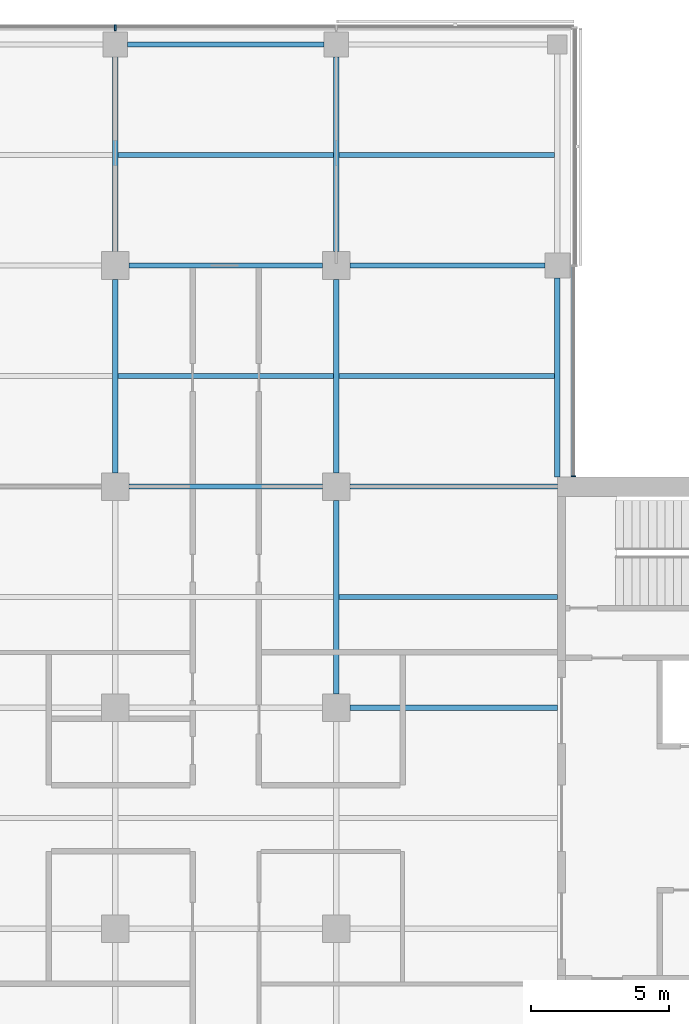
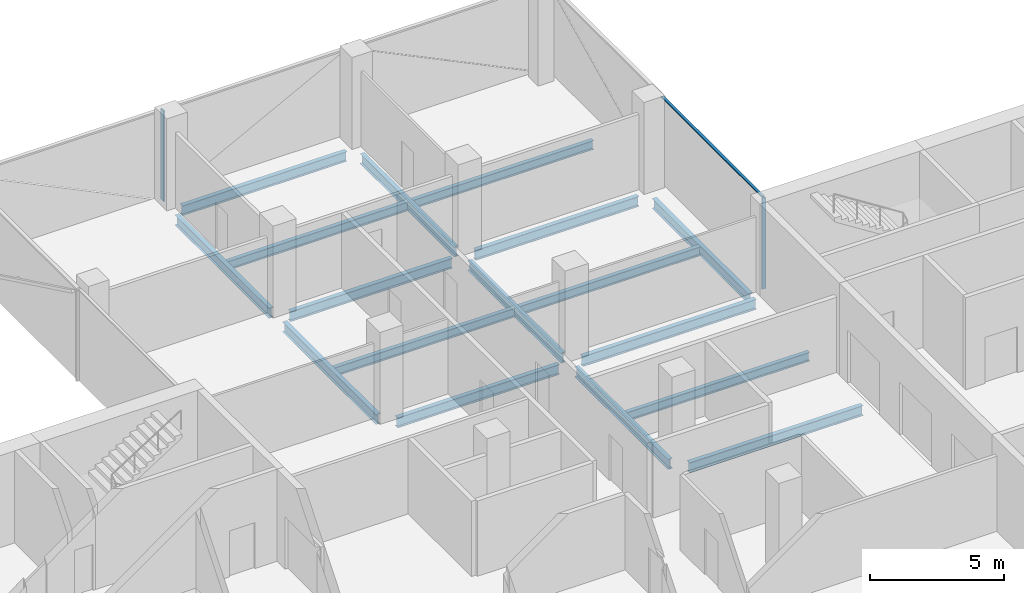
# One storey, part 9 of 22: 17 beams, 3 members, 2 elements without a shape of their own.
"""IFC4 building model written with IfcOpenShell, lengths in metres."""

from ifc_helpers import new_model, si_unit, direction, frame, origin, origin_2d, place, context, subcontext, project, spatial, rectangle, i_section, extrude, material, material_profile, profile_set, type_object, element, aggregate, save


model = new_model("IFC4")

# Units and contexts
model_context = context("Model", 3, precision=1e-05, world=origin(), true_north=direction((0.0, 1.0)))
body_context = subcontext(model_context, "Body", "Model", "MODEL_VIEW")
ifc_project = project(units=[si_unit("LENGTHUNIT", "METRE"), si_unit("AREAUNIT", "SQUARE_METRE"), si_unit("VOLUMEUNIT", "CUBIC_METRE"), si_unit("PLANEANGLEUNIT", "RADIAN"), si_unit("MASSUNIT", "GRAM", prefix="KILO")], contexts=[model_context])

# Site, building, storey
site_placement = place(None, origin())
site = spatial("IfcSite", under=ifc_project, at=site_placement, CompositionType="ELEMENT")
building_placement = place(site_placement, origin())
building = spatial("IfcBuilding", under=site, at=building_placement, Name="Crosswind Convention Tower", CompositionType="ELEMENT")
storey_placement = place(building_placement, frame((0.0, 0.0, 133.699951171875)))
storey = spatial("IfcBuildingStorey", under=building, at=storey_placement, Name="L27", CompositionType="ELEMENT", Elevation=133.699951171875)

# Beams
ifc_material_1 = material(Name="Steel S355", Category="steel")
ifc_material_profile_1 = material_profile(ifc_material_1, i_section(OverallWidth=0.18994140625, OverallDepth=0.45361328125, WebThickness=0.008544921875, FlangeThickness=0.0126953125, FilletRadius=0.01025390625, at=origin_2d()), Name="UB 457x191x67")
ifc_profile_set_1 = profile_set([ifc_material_profile_1], Name="Steel S355")
beam_type_1 = type_object("IfcBeamType", Name="Edge beam UB 457x191x67", PredefinedType="SPANDREL", material=ifc_profile_set_1)
beam_1_placement = place(storey_placement, frame((121.449951171875, 128.0, -0.52685546875), z_axis=(1.0, 0.0, 0.0), x_axis=(0.0, 1.0, 0.0)))
element("IfcBeam", 1, at=beam_1_placement, inside=storey, type_object=beam_type_1, Name="B16 L27 edge beam 13", PredefinedType="SPANDREL", context=body_context, shape_type="SweptSolid", body=[
    extrude(i_section(OverallWidth=0.18994140625, OverallDepth=0.45361328125, WebThickness=0.008544921875, FlangeThickness=0.0126953125, FilletRadius=0.01025390625, at=origin_2d()), origin(), (0.0, 0.0, 1.0), 7.10009765625),
])
beam_2_placement = place(storey_placement, frame((137.0, 112.35009765625, -0.52685546875), z_axis=(0.0, 1.0, 0.0), x_axis=(-1.0, 0.0, 0.0)))
element("IfcBeam", 2, at=beam_2_placement, inside=storey, type_object=beam_type_1, Name="B16 L27 edge beam 18", PredefinedType="SPANDREL", context=body_context, shape_type="SweptSolid", body=[
    extrude(i_section(OverallWidth=0.18994140625, OverallDepth=0.45361328125, WebThickness=0.008544921875, FlangeThickness=0.0126953125, FilletRadius=0.01025390625, at=origin_2d()), origin(), (0.0, 0.0, 1.0), 7.199951171875),
])
ifc_material_profile_2 = material_profile(ifc_material_1, i_section(OverallWidth=0.19140625, OverallDepth=0.460205078125, WebThickness=0.010009765625, FlangeThickness=0.01611328125, FilletRadius=0.01025390625, at=origin_2d()), Name="UB 457x191x82")
ifc_profile_set_2 = profile_set([ifc_material_profile_2], Name="Steel S355")
beam_type_2 = type_object("IfcBeamType", Name="Girder UB 457x191x82", PredefinedType="BEAM", material=ifc_profile_set_2)
beam_3_placement = place(storey_placement, frame((121.0, 112.5, -0.530029296875), z_axis=(0.0, 1.0, 0.0), x_axis=(-1.0, 0.0, 0.0)))
element("IfcBeam", 3, at=beam_3_placement, inside=storey, type_object=beam_type_2, Name="B3 L27 girder 8", PredefinedType="BEAM", context=body_context, shape_type="SweptSolid", body=[
    extrude(i_section(OverallWidth=0.19140625, OverallDepth=0.460205078125, WebThickness=0.010009765625, FlangeThickness=0.01611328125, FilletRadius=0.01025390625, at=origin_2d()), origin(), (0.0, 0.0, 1.0), 7.0),
])
beam_4_placement = place(storey_placement, frame((121.0, 120.5, -0.530029296875), z_axis=(0.0, 1.0, 0.0), x_axis=(-1.0, 0.0, 0.0)))
element("IfcBeam", 4, at=beam_4_placement, inside=storey, type_object=beam_type_2, Name="B3 L27 girder 9", PredefinedType="BEAM", context=body_context, shape_type="SweptSolid", body=[
    extrude(i_section(OverallWidth=0.19140625, OverallDepth=0.460205078125, WebThickness=0.010009765625, FlangeThickness=0.01611328125, FilletRadius=0.01025390625, at=origin_2d()), origin(), (0.0, 0.0, 1.0), 7.050048828125),
])
for number, where, z_axis, x_axis, name in (
    (5, (121.5, 112.0, -0.530029296875), (1.0, 0.0, 0.0), (0.0, 1.0, 0.0), "B3 L27 girder 14"),
    (6, (121.5, 120.0, -0.530029296875), (1.0, 0.0, 0.0), (0.0, 1.0, 0.0), "B3 L27 girder 15"),
    (7, (129.0, 104.5, -0.530029296875), (0.0, 1.0, 0.0), (-1.0, 0.0, 0.0), "B3 L27 girder 20"),
    (8, (129.0, 112.5, -0.530029296875), (0.0, 1.0, 0.0), (-1.0, 0.0, 0.0), "B3 L27 girder 21"),
):
    element("IfcBeam", number, at=place(storey_placement, frame(where, z_axis=z_axis, x_axis=x_axis)), inside=storey, type_object=beam_type_2, Name=name, PredefinedType="BEAM", context=body_context, shape_type="SweptSolid", body=[
        extrude(i_section(OverallWidth=0.19140625, OverallDepth=0.460205078125, WebThickness=0.010009765625, FlangeThickness=0.01611328125, FilletRadius=0.01025390625, at=origin_2d()), origin(), (0.0, 0.0, 1.0), 7.0),
    ])
for number, where, z_axis, x_axis, name in (
    (9, (129.0, 120.5, -0.530029296875), (0.0, 1.0, 0.0), (-1.0, 0.0, 0.0), "B3 L27 girder 22"),
    (10, (129.5, 120.0, -0.530029296875), (1.0, 0.0, 0.0), (0.0, 1.0, 0.0), "B3 L27 girder 24"),
):
    element("IfcBeam", number, at=place(storey_placement, frame(where, z_axis=z_axis, x_axis=x_axis)), inside=storey, type_object=beam_type_2, Name=name, PredefinedType="BEAM", context=body_context, shape_type="SweptSolid", body=[
        extrude(i_section(OverallWidth=0.19140625, OverallDepth=0.460205078125, WebThickness=0.010009765625, FlangeThickness=0.01611328125, FilletRadius=0.01025390625, at=origin_2d()), origin(), (0.0, 0.0, 1.0), 7.050048828125),
    ])
ifc_material_profile_3 = material_profile(ifc_material_1, i_section(OverallWidth=0.19189453125, OverallDepth=0.463623046875, WebThickness=0.010498046875, FlangeThickness=0.017578125, FilletRadius=0.01025390625, at=origin_2d()), Name="UB 457x191x90")
ifc_profile_set_3 = profile_set([ifc_material_profile_3], Name="Steel S355")
beam_type_3 = type_object("IfcBeamType", Name="Girder at core wall UB 457x191x90", PredefinedType="BEAM", material=ifc_profile_set_3)
for number, where, z_axis, x_axis, name in (
    (11, (129.5, 104.0, -0.53173828125), (1.0, 0.0, 0.0), (0.0, 1.0, 0.0), "B24 L27 girder at core wall 9"),
    (12, (129.5, 112.0, -0.53173828125), (1.0, 0.0, 0.0), (0.0, 1.0, 0.0), "B24 L27 girder at core wall 10"),
):
    element("IfcBeam", number, at=place(storey_placement, frame(where, z_axis=z_axis, x_axis=x_axis)), inside=storey, type_object=beam_type_3, Name=name, PredefinedType="BEAM", context=body_context, shape_type="SweptSolid", body=[
        extrude(i_section(OverallWidth=0.19189453125, OverallDepth=0.463623046875, WebThickness=0.010498046875, FlangeThickness=0.017578125, FilletRadius=0.01025390625, at=origin_2d()), origin(), (0.0, 0.0, 1.0), 7.5),
    ])

# Curtain wall, member
ifc_material_2 = material(Name="Aluminium unitised curtain wall", Category="aluminium")
curtain_wall_type_1 = type_object("IfcCurtainWallType", Name="CORE END SLOT WALL 160", PredefinedType="USERDEFINED", material=ifc_material_2)
curtain_wall_1_placement = place(storey_placement, origin())
curtain_wall_1 = element("IfcCurtainWall", 13, at=curtain_wall_1_placement, inside=storey, type_object=curtain_wall_type_1, Name="CW6 L27 N-E.1-1 slot", ObjectType="UNITISED", PredefinedType="USERDEFINED")
ifc_material_3 = material(Name="Aluminium mullion", Category="aluminium")
ifc_material_profile_4 = material_profile(ifc_material_3, rectangle(XDim=0.159912109375, YDim=0.050048828125, at=origin_2d()), Name="AL 160X50")
ifc_profile_set_4 = profile_set([ifc_material_profile_4], Name="Aluminium mullion")
member_type_1 = type_object("IfcMemberType", Name="MULLION 50X160", PredefinedType="MULLION", material=ifc_profile_set_4)
member_1_placement = place(storey_placement, frame((137.580078125, 112.375, -0.300048828125), z_axis=(0.0, 0.0, 1.0), x_axis=(1.0, 0.0, 0.0)))
member_1 = element("IfcMember", 14, at=member_1_placement, type_object=member_type_1, Name="CW6 mullion 1", PredefinedType="MULLION", context=body_context, shape_type="SweptSolid", body=[
    extrude(rectangle(XDim=0.159912109375, YDim=0.050048828125, at=origin_2d()), origin(), (0.0, 0.0, 1.0), 4.150146484375),
])

curtain_wall_type_2 = type_object("IfcCurtainWallType", Name="OFFICE UNITISED WALL 220", PredefinedType="USERDEFINED", material=ifc_material_2)
curtain_wall_2_placement = place(storey_placement, origin())
curtain_wall_2 = element("IfcCurtainWall", 15, at=curtain_wall_2_placement, inside=storey, type_object=curtain_wall_type_2, Name="CW3 L27 N-TIP 1", ObjectType="UNITISED", PredefinedType="USERDEFINED")
ifc_material_profile_5 = material_profile(ifc_material_3, rectangle(XDim=0.219970703125, YDim=0.070068359375, at=origin_2d()), Name="AL 220X70")
ifc_profile_set_5 = profile_set([ifc_material_profile_5], Name="Aluminium mullion")
member_type_2 = type_object("IfcMemberType", Name="MULLION 70X220", PredefinedType="MULLION", material=ifc_profile_set_5)
member_2_placement = place(storey_placement, frame((121.0, 128.610107421875, -0.300048828125), z_axis=(0.0, 0.0, 1.0), x_axis=(0.0, 1.0, 0.0)))
member_2 = element("IfcMember", 16, at=member_2_placement, type_object=member_type_2, Name="CW3 mullion 3", PredefinedType="MULLION", context=body_context, shape_type="SweptSolid", body=[
    extrude(rectangle(XDim=0.219970703125, YDim=0.070068359375, at=origin_2d()), origin(), (0.0, 0.0, 1.0), 4.130126953125),
])
aggregate(curtain_wall_2, [member_2])

# Beams
ifc_material_profile_6 = material_profile(ifc_material_1, i_section(OverallWidth=0.177734375, OverallDepth=0.406494140625, WebThickness=0.0078125, FlangeThickness=0.0126953125, FilletRadius=0.01025390625, at=origin_2d()), Name="UB 406x178x60")
ifc_profile_set_6 = profile_set([ifc_material_profile_6], Name="Steel S355")
beam_type_4 = type_object("IfcBeamType", Name="Secondary beam UB 406x178x60", PredefinedType="JOIST", material=ifc_profile_set_6)
for number, where, z_axis, x_axis, name in (
    (17, (121.095703125, 116.0, -0.503173828125), (1.0, 0.0, 0.0), (0.0, 1.0, 0.0), "B10 L27 secondary beam 16"),
    (18, (121.095703125, 124.0, -0.503173828125), (1.0, 0.0, 0.0), (0.0, 1.0, 0.0), "B10 L27 secondary beam 17"),
):
    element("IfcBeam", number, at=place(storey_placement, frame(where, z_axis=z_axis, x_axis=x_axis)), inside=storey, type_object=beam_type_4, Name=name, PredefinedType="JOIST", context=body_context, shape_type="SweptSolid", body=[
        extrude(i_section(OverallWidth=0.177734375, OverallDepth=0.406494140625, WebThickness=0.0078125, FlangeThickness=0.0126953125, FilletRadius=0.01025390625, at=origin_2d()), origin(), (0.0, 0.0, 1.0), 7.80859375),
    ])
beam_5_placement = place(storey_placement, frame((129.095703125, 108.0, -0.503173828125), z_axis=(1.0, 0.0, 0.0), x_axis=(0.0, 1.0, 0.0)))
element("IfcBeam", 19, at=beam_5_placement, inside=storey, type_object=beam_type_4, Name="B10 L27 secondary beam 22", PredefinedType="JOIST", context=body_context, shape_type="SweptSolid", body=[
    extrude(i_section(OverallWidth=0.177734375, OverallDepth=0.406494140625, WebThickness=0.0078125, FlangeThickness=0.0126953125, FilletRadius=0.01025390625, at=origin_2d()), origin(), (0.0, 0.0, 1.0), 7.904296875),
])
for number, where, z_axis, x_axis, name in (
    (20, (129.095703125, 116.0, -0.503173828125), (1.0, 0.0, 0.0), (0.0, 1.0, 0.0), "B10 L27 secondary beam 23"),
    (21, (129.095703125, 124.0, -0.503173828125), (1.0, 0.0, 0.0), (0.0, 1.0, 0.0), "B10 L27 secondary beam 24"),
):
    element("IfcBeam", number, at=place(storey_placement, frame(where, z_axis=z_axis, x_axis=x_axis)), inside=storey, type_object=beam_type_4, Name=name, PredefinedType="JOIST", context=body_context, shape_type="SweptSolid", body=[
        extrude(i_section(OverallWidth=0.177734375, OverallDepth=0.406494140625, WebThickness=0.0078125, FlangeThickness=0.0126953125, FilletRadius=0.01025390625, at=origin_2d()), origin(), (0.0, 0.0, 1.0), 7.809326171875),
    ])

# Member
ifc_material_4 = material(Name="Aluminium transom", Category="aluminium")
ifc_material_profile_7 = material_profile(ifc_material_4, rectangle(XDim=0.1201171875, YDim=0.050048828125, at=origin_2d()), Name="AL 120X50")
ifc_profile_set_7 = profile_set([ifc_material_profile_7], Name="Aluminium transom")
member_type_3 = type_object("IfcMemberType", Name="TRANSOM 50X120", PredefinedType="USERDEFINED", material=ifc_profile_set_7)
member_3_placement = place(storey_placement, frame((137.580078125, 112.39990234375, 3.875), z_axis=(0.0, 1.0, 0.0), x_axis=(-1.0, 0.0, 0.0)))
member_3 = element("IfcMember", 22, at=member_3_placement, type_object=member_type_3, Name="CW6 transom", ObjectType="TRANSOM", PredefinedType="USERDEFINED", context=body_context, shape_type="SweptSolid", body=[
    extrude(rectangle(XDim=0.1201171875, YDim=0.050048828125, at=origin_2d()), origin(), (0.0, 0.0, 1.0), 7.550048828125),
])

aggregate(curtain_wall_1, [member_1, member_3])

save(model, "model.ifc")
